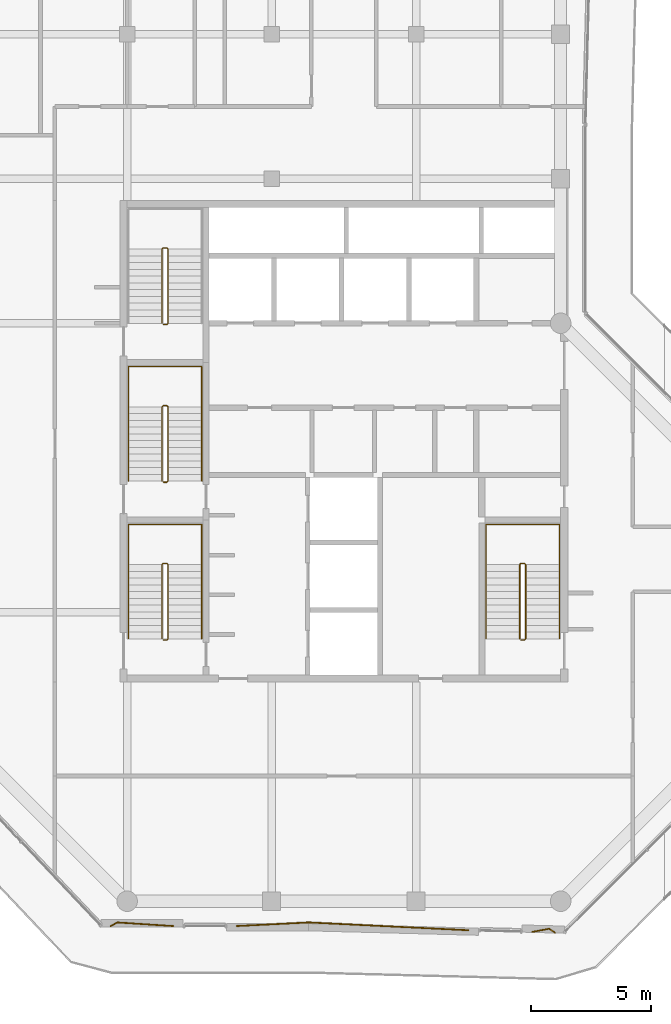
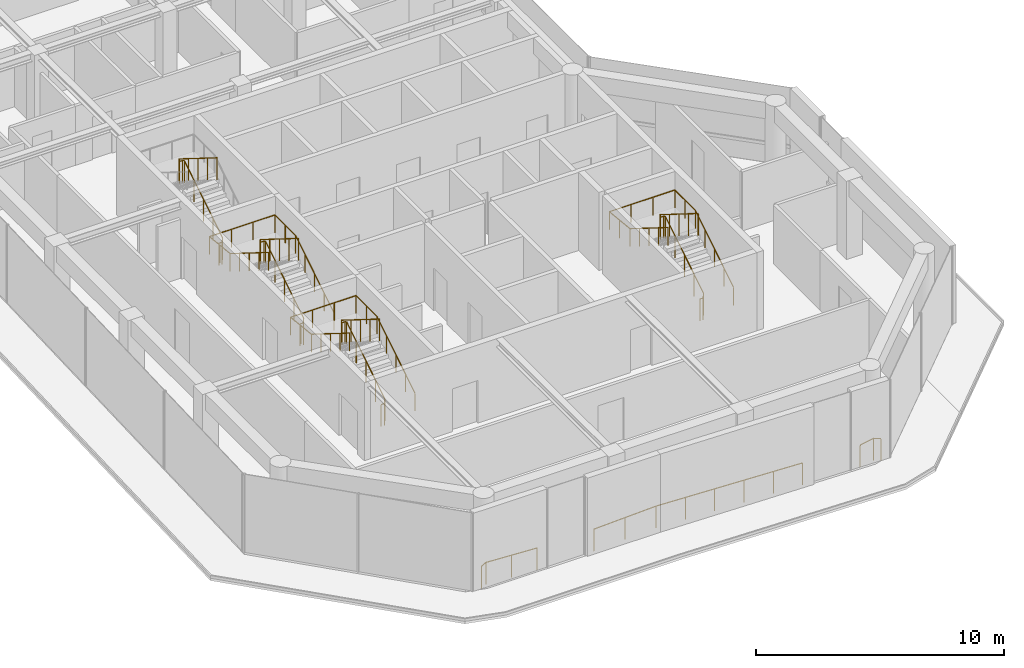
# One storey, part 17 of 18: 10 railings.
"""IFC4 building model written with IfcOpenShell, lengths in metres."""

from ifc_helpers import new_model, si_unit, direction, frame, origin, origin_2d, place, context, subcontext, project, spatial, circle, extrude, material, type_object, element, save


model = new_model("IFC4")

# Units and contexts
model_context = context("Model", 3, precision=1e-05, world=origin(), true_north=direction((0.0, 1.0)))
body_context = subcontext(model_context, "Body", "Model", "MODEL_VIEW")
ifc_project = project(units=[si_unit("LENGTHUNIT", "METRE"), si_unit("AREAUNIT", "SQUARE_METRE"), si_unit("VOLUMEUNIT", "CUBIC_METRE"), si_unit("PLANEANGLEUNIT", "RADIAN"), si_unit("MASSUNIT", "GRAM", prefix="KILO")], contexts=[model_context])

# Site, building, storey
site_placement = place(None, origin())
site = spatial("IfcSite", under=ifc_project, at=site_placement, CompositionType="ELEMENT")
building_placement = place(site_placement, origin())
building = spatial("IfcBuilding", under=site, at=building_placement, Name="Welwitschia Terrace Campus", CompositionType="ELEMENT")
storey_placement = place(building_placement, frame((0.0, 0.0, 281.0)))
storey = spatial("IfcBuildingStorey", under=building, at=storey_placement, Name="L62", CompositionType="ELEMENT", Elevation=281.0)

# Railings
ifc_material_1 = material(Name="Stainless steel grade 316", Category="steel")
railing_type_1 = type_object("IfcRailingType", Name="Guard 1100", PredefinedType="GUARDRAIL", material=ifc_material_1)
railing_1_placement = place(storey_placement, frame((7.904541015625, -5.030029296875, 0.0)))
element("IfcRailing", 1, at=railing_1_placement, inside=storey, type_object=railing_type_1, Name="Guard floor edge L62.1", PredefinedType="GUARDRAIL", context=body_context, shape_type="SweptSolid", body=[
    extrude(circle(Radius=0.02392578125, at=origin_2d()), frame((0.0, 0.0, 1.076171875), z_axis=(-0.997881897541, 0.065051660694, 0.0), x_axis=(-0.065051660694, -0.997881897541, 0.0)), (0.0, 0.0, 1.0), 2.30810546875),
    extrude(circle(Radius=0.02392578125, at=origin_2d()), frame((-2.30322265625, 0.150146484375, 1.076171875), z_axis=(-0.889778828662, -0.456391976336, 0.0), x_axis=(0.456391976336, -0.889778828662, 0.0)), (0.0, 0.0, 1.0), 0.3291015625),
    extrude(circle(Radius=0.02099609375, at=origin_2d()), origin(), (0.0, 0.0, 1.0), 1.052001953125),
    extrude(circle(Radius=0.02099609375, at=origin_2d()), frame((-1.151611328125, 0.0751953125, 0.0)), (0.0, 0.0, 1.0), 1.052001953125),
    extrude(circle(Radius=0.02099609375, at=origin_2d()), frame((-2.30322265625, 0.150146484375, 0.0)), (0.0, 0.0, 1.0), 1.052001953125),
    extrude(circle(Radius=0.02099609375, at=origin_2d()), frame((-2.595947265625, 0.0, 0.0)), (0.0, 0.0, 1.0), 1.052001953125),
])
railing_2_placement = place(storey_placement, frame((20.172119140625, -5.203857421875, 0.0)))
element("IfcRailing", 2, at=railing_2_placement, inside=storey, type_object=railing_type_1, Name="Guard floor edge L62.3", PredefinedType="GUARDRAIL", context=body_context, shape_type="SweptSolid", body=[
    extrude(circle(Radius=0.02392578125, at=origin_2d()), frame((0.0, 0.0, 1.076171875), z_axis=(-0.998809863154, 0.048773530392, 0.0), x_axis=(-0.048773530392, -0.998809863154, 0.0)), (0.0, 0.0, 1.0), 6.642333984375),
    extrude(circle(Radius=0.02392578125, at=origin_2d()), frame((-6.634521484375, 0.323974609375, 1.076171875), z_axis=(-0.998737836798, -0.050226819007, 0.0), x_axis=(0.050226819007, -0.998737836798, 0.0)), (0.0, 0.0, 1.0), 2.9892578125),
    extrude(circle(Radius=0.02099609375, at=origin_2d()), origin(), (0.0, 0.0, 1.0), 1.052001953125),
    extrude(circle(Radius=0.02099609375, at=origin_2d()), frame((-1.326904296875, 0.064697265625, 0.0)), (0.0, 0.0, 1.0), 1.052001953125),
    extrude(circle(Radius=0.02099609375, at=origin_2d()), frame((-2.65380859375, 0.129638671875, 0.0)), (0.0, 0.0, 1.0), 1.052001953125),
    extrude(circle(Radius=0.02099609375, at=origin_2d()), frame((-3.980712890625, 0.1943359375, 0.0)), (0.0, 0.0, 1.0), 1.052001953125),
    extrude(circle(Radius=0.02099609375, at=origin_2d()), frame((-5.3076171875, 0.25927734375, 0.0)), (0.0, 0.0, 1.0), 1.052001953125),
    extrude(circle(Radius=0.02099609375, at=origin_2d()), frame((-6.634521484375, 0.323974609375, 0.0)), (0.0, 0.0, 1.0), 1.052001953125),
    extrude(circle(Radius=0.02099609375, at=origin_2d()), frame((-8.12744140625, 0.2490234375, 0.0)), (0.0, 0.0, 1.0), 1.052001953125),
    extrude(circle(Radius=0.02099609375, at=origin_2d()), frame((-9.6201171875, 0.173828125, 0.0)), (0.0, 0.0, 1.0), 1.052001953125),
])
railing_3_placement = place(storey_placement, frame((23.7626953125, -5.2978515625, 0.0)))
element("IfcRailing", 3, at=railing_3_placement, inside=storey, type_object=railing_type_1, Name="Guard floor edge L62.5", PredefinedType="GUARDRAIL", context=body_context, shape_type="SweptSolid", body=[
    extrude(circle(Radius=0.02392578125, at=origin_2d()), frame((0.0, 0.0, 1.076171875), z_axis=(-0.839661073716, 0.543110744956, 0.0), x_axis=(-0.543110744956, -0.839661073716, 0.0)), (0.0, 0.0, 1.0), 0.2880859375),
    extrude(circle(Radius=0.02392578125, at=origin_2d()), frame((-0.241943359375, 0.156494140625, 1.076171875), z_axis=(-0.982825731566, -0.184536124842, 0.0), x_axis=(0.184536124842, -0.982825731566, 0.0)), (0.0, 0.0, 1.0), 0.71435546875),
    extrude(circle(Radius=0.02099609375, at=origin_2d()), origin(), (0.0, 0.0, 1.0), 1.052001953125),
    extrude(circle(Radius=0.02099609375, at=origin_2d()), frame((-0.241943359375, 0.156494140625, 0.0)), (0.0, 0.0, 1.0), 1.052001953125),
    extrude(circle(Radius=0.02099609375, at=origin_2d()), frame((-0.944091796875, 0.024658203125, 0.0)), (0.0, 0.0, 1.0), 1.052001953125),
])
ifc_material_2 = material(Name="Steel S355", Category="steel")
railing_type_2 = type_object("IfcRailingType", Name="Stair guard 1100", PredefinedType="GUARDRAIL", material=ifc_material_2)
railing_4_placement = place(storey_placement, frame((7.5, 6.85009765625, 0.0)))
element("IfcRailing", 4, at=railing_4_placement, inside=storey, type_object=railing_type_2, Name="L62 S1 stair guard", PredefinedType="GUARDRAIL", context=body_context, shape_type="SweptSolid", body=[
    extrude(circle(Radius=0.02392578125, at=origin_2d()), frame((0.0, 0.0, 1.076171875), z_axis=(1.0, 0.0, 0.0), x_axis=(0.0, 1.0, 0.0)), (0.0, 0.0, 1.0), 0.14990234375),
    extrude(circle(Radius=0.02392578125, at=origin_2d()), frame((0.14990234375, 0.0, 1.076171875), z_axis=(0.265155923931, 0.263862480399, 0.927399011991), x_axis=(-0.705375805398, 0.708833529934, 0.0)), (0.0, 0.0, 1.0), 0.188720703125),
    extrude(circle(Radius=0.02392578125, at=origin_2d()), frame((0.199951171875, 0.0498046875, 1.2509765625), z_axis=(0.0, 0.847998304005, 0.529998940003), x_axis=(-1.0, 0.0, 0.0)), (0.0, 0.0, 1.0), 3.632080078125),
    extrude(circle(Radius=0.02392578125, at=origin_2d()), frame((0.199951171875, 3.1298828125, 3.17626953125), z_axis=(-0.707106781187, 0.707106781187, 0.0), x_axis=(-0.707106781187, -0.707106781187, 0.0)), (0.0, 0.0, 1.0), 0.07080078125),
    extrude(circle(Radius=0.02392578125, at=origin_2d()), frame((0.14990234375, 3.179931640625, 3.17626953125), z_axis=(-1.0, 0.0, 0.0), x_axis=(0.0, -1.0, 0.0)), (0.0, 0.0, 1.0), 0.14990234375),
    extrude(circle(Radius=0.02392578125, at=origin_2d()), frame((0.0, 3.179931640625, 3.17626953125), z_axis=(-0.265383341853, -0.265383341853, 0.926899867156), x_axis=(0.707106781187, -0.707106781187, 0.0)), (0.0, 0.0, 1.0), 0.1884765625),
    extrude(circle(Radius=0.02392578125, at=origin_2d()), frame((-0.050048828125, 3.1298828125, 3.35107421875), z_axis=(0.0, -0.847998304005, 0.529998940003), x_axis=(1.0, 0.0, 0.0)), (0.0, 0.0, 1.0), 3.632080078125),
    extrude(circle(Radius=0.02099609375, at=origin_2d()), origin(), (0.0, 0.0, 1.0), 1.052001953125),
    extrude(circle(Radius=0.02099609375, at=origin_2d()), frame((0.14990234375, 0.0, 0.0)), (0.0, 0.0, 1.0), 1.052001953125),
    extrude(circle(Radius=0.02099609375, at=origin_2d()), frame((0.199951171875, 0.0498046875, 0.175048828125)), (0.0, 0.0, 1.0), 1.052001953125),
    extrude(circle(Radius=0.02099609375, at=origin_2d()), frame((0.199951171875, 0.81982421875, 0.65625)), (0.0, 0.0, 1.0), 1.052001953125),
    extrude(circle(Radius=0.02099609375, at=origin_2d()), frame((0.199951171875, 1.58984375, 1.1376953125)), (0.0, 0.0, 1.0), 1.052001953125),
    extrude(circle(Radius=0.02099609375, at=origin_2d()), frame((0.199951171875, 2.35986328125, 1.618896484375)), (0.0, 0.0, 1.0), 1.052001953125),
    extrude(circle(Radius=0.02099609375, at=origin_2d()), frame((0.199951171875, 3.1298828125, 2.10009765625)), (0.0, 0.0, 1.0), 1.052001953125),
    extrude(circle(Radius=0.02099609375, at=origin_2d()), frame((0.14990234375, 3.179931640625, 2.10009765625)), (0.0, 0.0, 1.0), 1.052001953125),
    extrude(circle(Radius=0.02099609375, at=origin_2d()), frame((0.0, 3.179931640625, 2.10009765625)), (0.0, 0.0, 1.0), 1.052001953125),
    extrude(circle(Radius=0.02099609375, at=origin_2d()), frame((-0.050048828125, 3.1298828125, 2.27490234375)), (0.0, 0.0, 1.0), 1.052001953125),
    extrude(circle(Radius=0.02099609375, at=origin_2d()), frame((-0.050048828125, 2.35986328125, 2.756103515625)), (0.0, 0.0, 1.0), 1.052001953125),
    extrude(circle(Radius=0.02099609375, at=origin_2d()), frame((-0.050048828125, 1.58984375, 3.2373046875)), (0.0, 0.0, 1.0), 1.052001953125),
    extrude(circle(Radius=0.02099609375, at=origin_2d()), frame((-0.050048828125, 0.81982421875, 3.71875)), (0.0, 0.0, 1.0), 1.052001953125),
    extrude(circle(Radius=0.02099609375, at=origin_2d()), frame((-0.050048828125, 0.0498046875, 4.199951171875)), (0.0, 0.0, 1.0), 1.052001953125),
])
railing_5_placement = place(storey_placement, frame((7.5, 13.39990234375, 0.0)))
element("IfcRailing", 5, at=railing_5_placement, inside=storey, type_object=railing_type_2, Name="L62 S3 stair guard", PredefinedType="GUARDRAIL", context=body_context, shape_type="SweptSolid", body=[
    extrude(circle(Radius=0.02392578125, at=origin_2d()), frame((0.0, 0.0, 1.076171875), z_axis=(1.0, 0.0, 0.0), x_axis=(0.0, 1.0, 0.0)), (0.0, 0.0, 1.0), 0.14990234375),
    extrude(circle(Radius=0.02392578125, at=origin_2d()), frame((0.14990234375, 0.0, 1.076171875), z_axis=(0.265065253269, 0.265065253269, 0.927081885822), x_axis=(-0.707106781187, 0.707106781187, 0.0)), (0.0, 0.0, 1.0), 0.188720703125),
    extrude(circle(Radius=0.02392578125, at=origin_2d()), frame((0.199951171875, 0.050048828125, 1.2509765625), z_axis=(0.0, 0.847998304005, 0.529998940003), x_axis=(-1.0, 0.0, 0.0)), (0.0, 0.0, 1.0), 3.632080078125),
    extrude(circle(Radius=0.02392578125, at=origin_2d()), frame((0.199951171875, 3.130126953125, 3.17626953125), z_axis=(-0.707106781187, 0.707106781187, 0.0), x_axis=(-0.707106781187, -0.707106781187, 0.0)), (0.0, 0.0, 1.0), 0.07080078125),
    extrude(circle(Radius=0.02392578125, at=origin_2d()), frame((0.14990234375, 3.18017578125, 3.17626953125), z_axis=(-1.0, 0.0, 0.0), x_axis=(0.0, -1.0, 0.0)), (0.0, 0.0, 1.0), 0.14990234375),
    extrude(circle(Radius=0.02392578125, at=origin_2d()), frame((0.0, 3.18017578125, 3.17626953125), z_axis=(-0.265383341853, -0.265383341853, 0.926899867156), x_axis=(0.707106781187, -0.707106781187, 0.0)), (0.0, 0.0, 1.0), 0.1884765625),
    extrude(circle(Radius=0.02392578125, at=origin_2d()), frame((-0.050048828125, 3.130126953125, 3.35107421875), z_axis=(0.0, -0.847998304005, 0.529998940003), x_axis=(1.0, 0.0, 0.0)), (0.0, 0.0, 1.0), 3.632080078125),
    extrude(circle(Radius=0.02099609375, at=origin_2d()), origin(), (0.0, 0.0, 1.0), 1.052001953125),
    extrude(circle(Radius=0.02099609375, at=origin_2d()), frame((0.14990234375, 0.0, 0.0)), (0.0, 0.0, 1.0), 1.052001953125),
    extrude(circle(Radius=0.02099609375, at=origin_2d()), frame((0.199951171875, 0.050048828125, 0.175048828125)), (0.0, 0.0, 1.0), 1.052001953125),
    extrude(circle(Radius=0.02099609375, at=origin_2d()), frame((0.199951171875, 0.820068359375, 0.65625)), (0.0, 0.0, 1.0), 1.052001953125),
    extrude(circle(Radius=0.02099609375, at=origin_2d()), frame((0.199951171875, 1.590087890625, 1.1376953125)), (0.0, 0.0, 1.0), 1.052001953125),
    extrude(circle(Radius=0.02099609375, at=origin_2d()), frame((0.199951171875, 2.360107421875, 1.618896484375)), (0.0, 0.0, 1.0), 1.052001953125),
    extrude(circle(Radius=0.02099609375, at=origin_2d()), frame((0.199951171875, 3.130126953125, 2.10009765625)), (0.0, 0.0, 1.0), 1.052001953125),
    extrude(circle(Radius=0.02099609375, at=origin_2d()), frame((0.14990234375, 3.18017578125, 2.10009765625)), (0.0, 0.0, 1.0), 1.052001953125),
    extrude(circle(Radius=0.02099609375, at=origin_2d()), frame((0.0, 3.18017578125, 2.10009765625)), (0.0, 0.0, 1.0), 1.052001953125),
    extrude(circle(Radius=0.02099609375, at=origin_2d()), frame((-0.050048828125, 3.130126953125, 2.27490234375)), (0.0, 0.0, 1.0), 1.052001953125),
    extrude(circle(Radius=0.02099609375, at=origin_2d()), frame((-0.050048828125, 2.360107421875, 2.756103515625)), (0.0, 0.0, 1.0), 1.052001953125),
    extrude(circle(Radius=0.02099609375, at=origin_2d()), frame((-0.050048828125, 1.590087890625, 3.2373046875)), (0.0, 0.0, 1.0), 1.052001953125),
    extrude(circle(Radius=0.02099609375, at=origin_2d()), frame((-0.050048828125, 0.820068359375, 3.71875)), (0.0, 0.0, 1.0), 1.052001953125),
    extrude(circle(Radius=0.02099609375, at=origin_2d()), frame((-0.050048828125, 0.050048828125, 4.199951171875)), (0.0, 0.0, 1.0), 1.052001953125),
])
railing_6_placement = place(storey_placement, frame((7.5, 19.949951171875, 0.0)))
element("IfcRailing", 6, at=railing_6_placement, inside=storey, type_object=railing_type_2, Name="L62 S4 stair guard", PredefinedType="GUARDRAIL", context=body_context, shape_type="SweptSolid", body=[
    extrude(circle(Radius=0.02392578125, at=origin_2d()), frame((0.0, 0.0, 1.076171875), z_axis=(1.0, 0.0, 0.0), x_axis=(0.0, 1.0, 0.0)), (0.0, 0.0, 1.0), 0.14990234375),
    extrude(circle(Radius=0.02392578125, at=origin_2d()), frame((0.14990234375, 0.0, 1.076171875), z_axis=(0.265065253269, 0.265065253269, 0.927081885822), x_axis=(-0.707106781187, 0.707106781187, 0.0)), (0.0, 0.0, 1.0), 0.188720703125),
    extrude(circle(Radius=0.02392578125, at=origin_2d()), frame((0.199951171875, 0.050048828125, 1.2509765625), z_axis=(0.0, 0.847998304005, 0.529998940003), x_axis=(-1.0, 0.0, 0.0)), (0.0, 0.0, 1.0), 3.632080078125),
    extrude(circle(Radius=0.02392578125, at=origin_2d()), frame((0.199951171875, 3.130126953125, 3.17626953125), z_axis=(-0.708833529934, 0.705375805398, 0.0), x_axis=(-0.705375805398, -0.708833529934, 0.0)), (0.0, 0.0, 1.0), 0.070556640625),
    extrude(circle(Radius=0.02392578125, at=origin_2d()), frame((0.14990234375, 3.179931640625, 3.17626953125), z_axis=(-1.0, 0.0, 0.0), x_axis=(0.0, -1.0, 0.0)), (0.0, 0.0, 1.0), 0.14990234375),
    extrude(circle(Radius=0.02392578125, at=origin_2d()), frame((0.0, 3.179931640625, 3.17626953125), z_axis=(-0.265474339444, -0.264179342666, 0.927217692888), x_axis=(0.705375805398, -0.708833529934, 0.0)), (0.0, 0.0, 1.0), 0.1884765625),
    extrude(circle(Radius=0.02392578125, at=origin_2d()), frame((-0.050048828125, 3.130126953125, 3.35107421875), z_axis=(0.0, -0.847998304005, 0.529998940003), x_axis=(1.0, 0.0, 0.0)), (0.0, 0.0, 1.0), 3.632080078125),
    extrude(circle(Radius=0.02099609375, at=origin_2d()), origin(), (0.0, 0.0, 1.0), 1.052001953125),
    extrude(circle(Radius=0.02099609375, at=origin_2d()), frame((0.14990234375, 0.0, 0.0)), (0.0, 0.0, 1.0), 1.052001953125),
    extrude(circle(Radius=0.02099609375, at=origin_2d()), frame((0.199951171875, 0.050048828125, 0.175048828125)), (0.0, 0.0, 1.0), 1.052001953125),
    extrude(circle(Radius=0.02099609375, at=origin_2d()), frame((0.199951171875, 0.820068359375, 0.65625)), (0.0, 0.0, 1.0), 1.052001953125),
    extrude(circle(Radius=0.02099609375, at=origin_2d()), frame((0.199951171875, 1.590087890625, 1.1376953125)), (0.0, 0.0, 1.0), 1.052001953125),
    extrude(circle(Radius=0.02099609375, at=origin_2d()), frame((0.199951171875, 2.360107421875, 1.618896484375)), (0.0, 0.0, 1.0), 1.052001953125),
    extrude(circle(Radius=0.02099609375, at=origin_2d()), frame((0.199951171875, 3.130126953125, 2.10009765625)), (0.0, 0.0, 1.0), 1.052001953125),
    extrude(circle(Radius=0.02099609375, at=origin_2d()), frame((0.14990234375, 3.179931640625, 2.10009765625)), (0.0, 0.0, 1.0), 1.052001953125),
    extrude(circle(Radius=0.02099609375, at=origin_2d()), frame((0.0, 3.179931640625, 2.10009765625)), (0.0, 0.0, 1.0), 1.052001953125),
    extrude(circle(Radius=0.02099609375, at=origin_2d()), frame((-0.050048828125, 3.130126953125, 2.27490234375)), (0.0, 0.0, 1.0), 1.052001953125),
    extrude(circle(Radius=0.02099609375, at=origin_2d()), frame((-0.050048828125, 2.360107421875, 2.756103515625)), (0.0, 0.0, 1.0), 1.052001953125),
    extrude(circle(Radius=0.02099609375, at=origin_2d()), frame((-0.050048828125, 1.590087890625, 3.2373046875)), (0.0, 0.0, 1.0), 1.052001953125),
    extrude(circle(Radius=0.02099609375, at=origin_2d()), frame((-0.050048828125, 0.820068359375, 3.71875)), (0.0, 0.0, 1.0), 1.052001953125),
    extrude(circle(Radius=0.02099609375, at=origin_2d()), frame((-0.050048828125, 0.050048828125, 4.199951171875)), (0.0, 0.0, 1.0), 1.052001953125),
])
railing_7_placement = place(storey_placement, frame((22.35009765625, 6.85009765625, 0.0)))
element("IfcRailing", 7, at=railing_7_placement, inside=storey, type_object=railing_type_2, Name="L62 S2 stair guard", PredefinedType="GUARDRAIL", context=body_context, shape_type="SweptSolid", body=[
    extrude(circle(Radius=0.02392578125, at=origin_2d()), frame((0.0, 0.0, 1.076171875), z_axis=(1.0, 0.0, 0.0), x_axis=(0.0, 1.0, 0.0)), (0.0, 0.0, 1.0), 0.14990234375),
    extrude(circle(Radius=0.02392578125, at=origin_2d()), frame((0.14990234375, 0.0, 1.076171875), z_axis=(0.265155923931, 0.263862480399, 0.927399011991), x_axis=(-0.705375805398, 0.708833529934, 0.0)), (0.0, 0.0, 1.0), 0.188720703125),
    extrude(circle(Radius=0.02392578125, at=origin_2d()), frame((0.199951171875, 0.0498046875, 1.2509765625), z_axis=(0.0, 0.847998304005, 0.529998940003), x_axis=(-1.0, 0.0, 0.0)), (0.0, 0.0, 1.0), 3.632080078125),
    extrude(circle(Radius=0.02392578125, at=origin_2d()), frame((0.199951171875, 3.1298828125, 3.17626953125), z_axis=(-0.707106781187, 0.707106781187, 0.0), x_axis=(-0.707106781187, -0.707106781187, 0.0)), (0.0, 0.0, 1.0), 0.07080078125),
    extrude(circle(Radius=0.02392578125, at=origin_2d()), frame((0.14990234375, 3.179931640625, 3.17626953125), z_axis=(-1.0, 0.0, 0.0), x_axis=(0.0, -1.0, 0.0)), (0.0, 0.0, 1.0), 0.14990234375),
    extrude(circle(Radius=0.02392578125, at=origin_2d()), frame((0.0, 3.179931640625, 3.17626953125), z_axis=(-0.265383341853, -0.265383341853, 0.926899867156), x_axis=(0.707106781187, -0.707106781187, 0.0)), (0.0, 0.0, 1.0), 0.1884765625),
    extrude(circle(Radius=0.02392578125, at=origin_2d()), frame((-0.050048828125, 3.1298828125, 3.35107421875), z_axis=(0.0, -0.847998304005, 0.529998940003), x_axis=(1.0, 0.0, 0.0)), (0.0, 0.0, 1.0), 3.632080078125),
    extrude(circle(Radius=0.02099609375, at=origin_2d()), origin(), (0.0, 0.0, 1.0), 1.052001953125),
    extrude(circle(Radius=0.02099609375, at=origin_2d()), frame((0.14990234375, 0.0, 0.0)), (0.0, 0.0, 1.0), 1.052001953125),
    extrude(circle(Radius=0.02099609375, at=origin_2d()), frame((0.199951171875, 0.0498046875, 0.175048828125)), (0.0, 0.0, 1.0), 1.052001953125),
    extrude(circle(Radius=0.02099609375, at=origin_2d()), frame((0.199951171875, 0.81982421875, 0.65625)), (0.0, 0.0, 1.0), 1.052001953125),
    extrude(circle(Radius=0.02099609375, at=origin_2d()), frame((0.199951171875, 1.58984375, 1.1376953125)), (0.0, 0.0, 1.0), 1.052001953125),
    extrude(circle(Radius=0.02099609375, at=origin_2d()), frame((0.199951171875, 2.35986328125, 1.618896484375)), (0.0, 0.0, 1.0), 1.052001953125),
    extrude(circle(Radius=0.02099609375, at=origin_2d()), frame((0.199951171875, 3.1298828125, 2.10009765625)), (0.0, 0.0, 1.0), 1.052001953125),
    extrude(circle(Radius=0.02099609375, at=origin_2d()), frame((0.14990234375, 3.179931640625, 2.10009765625)), (0.0, 0.0, 1.0), 1.052001953125),
    extrude(circle(Radius=0.02099609375, at=origin_2d()), frame((0.0, 3.179931640625, 2.10009765625)), (0.0, 0.0, 1.0), 1.052001953125),
    extrude(circle(Radius=0.02099609375, at=origin_2d()), frame((-0.050048828125, 3.1298828125, 2.27490234375)), (0.0, 0.0, 1.0), 1.052001953125),
    extrude(circle(Radius=0.02099609375, at=origin_2d()), frame((-0.050048828125, 2.35986328125, 2.756103515625)), (0.0, 0.0, 1.0), 1.052001953125),
    extrude(circle(Radius=0.02099609375, at=origin_2d()), frame((-0.050048828125, 1.58984375, 3.2373046875)), (0.0, 0.0, 1.0), 1.052001953125),
    extrude(circle(Radius=0.02099609375, at=origin_2d()), frame((-0.050048828125, 0.81982421875, 3.71875)), (0.0, 0.0, 1.0), 1.052001953125),
    extrude(circle(Radius=0.02099609375, at=origin_2d()), frame((-0.050048828125, 0.0498046875, 4.199951171875)), (0.0, 0.0, 1.0), 1.052001953125),
])
ifc_material_3 = material(Name="Steel S355", Category="steel")
railing_type_3 = type_object("IfcRailingType", Name="Stair handrail 900", PredefinedType="HANDRAIL", material=ifc_material_3)
railing_8_placement = place(storey_placement, frame((9.10009765625, 6.89990234375, 0.175048828125)))
element("IfcRailing", 8, at=railing_8_placement, inside=storey, type_object=railing_type_3, Name="L62 S1 stair handrail", PredefinedType="HANDRAIL", context=body_context, shape_type="SweptSolid", body=[
    extrude(circle(Radius=0.02392578125, at=origin_2d()), frame((0.0, 0.0, 0.8759765625), z_axis=(0.0, 0.847998304005, 0.529998940003), x_axis=(-1.0, 0.0, 0.0)), (0.0, 0.0, 1.0), 3.632080078125),
    extrude(circle(Radius=0.02392578125, at=origin_2d()), frame((0.0, 3.080078125, 2.80078125), z_axis=(0.0, 1.0, 0.0), x_axis=(-1.0, 0.0, 0.0)), (0.0, 0.0, 1.0), 1.669921875),
    extrude(circle(Radius=0.02392578125, at=origin_2d()), frame((0.0, 4.75, 2.80078125), z_axis=(-1.0, 0.0, 0.0), x_axis=(0.0, -1.0, 0.0)), (0.0, 0.0, 1.0), 3.050048828125),
    extrude(circle(Radius=0.02392578125, at=origin_2d()), frame((-3.050048828125, 4.75, 2.80078125), z_axis=(0.0, -0.994565838508, 0.104109523446), x_axis=(1.0, 0.0, 0.0)), (0.0, 0.0, 1.0), 1.678955078125),
    extrude(circle(Radius=0.02392578125, at=origin_2d()), frame((-3.050048828125, 3.080078125, 2.9755859375), z_axis=(0.0, -0.847998304005, 0.529998940003), x_axis=(1.0, 0.0, 0.0)), (0.0, 0.0, 1.0), 3.632080078125),
    extrude(circle(Radius=0.02099609375, at=origin_2d()), origin(), (0.0, 0.0, 1.0), 0.851806640625),
    extrude(circle(Radius=0.02099609375, at=origin_2d()), frame((0.0, 0.77001953125, 0.481201171875)), (0.0, 0.0, 1.0), 0.851806640625),
    extrude(circle(Radius=0.02099609375, at=origin_2d()), frame((0.0, 1.5400390625, 0.96240234375)), (0.0, 0.0, 1.0), 0.851806640625),
    extrude(circle(Radius=0.02099609375, at=origin_2d()), frame((0.0, 2.31005859375, 1.44384765625)), (0.0, 0.0, 1.0), 0.851806640625),
    extrude(circle(Radius=0.02099609375, at=origin_2d()), frame((0.0, 3.080078125, 1.925048828125)), (0.0, 0.0, 1.0), 0.851806640625),
    extrude(circle(Radius=0.02099609375, at=origin_2d()), frame((0.0, 3.9150390625, 1.925048828125)), (0.0, 0.0, 1.0), 0.851806640625),
    extrude(circle(Radius=0.02099609375, at=origin_2d()), frame((0.0, 4.75, 1.925048828125)), (0.0, 0.0, 1.0), 0.851806640625),
    extrude(circle(Radius=0.02099609375, at=origin_2d()), frame((-1.0166015625, 4.75, 1.925048828125)), (0.0, 0.0, 1.0), 0.851806640625),
    extrude(circle(Radius=0.02099609375, at=origin_2d()), frame((-2.033447265625, 4.75, 1.925048828125)), (0.0, 0.0, 1.0), 0.851806640625),
    extrude(circle(Radius=0.02099609375, at=origin_2d()), frame((-3.050048828125, 4.75, 1.925048828125)), (0.0, 0.0, 1.0), 0.851806640625),
    extrude(circle(Radius=0.02099609375, at=origin_2d()), frame((-3.050048828125, 3.9150390625, 2.012451171875)), (0.0, 0.0, 1.0), 0.851806640625),
    extrude(circle(Radius=0.02099609375, at=origin_2d()), frame((-3.050048828125, 3.080078125, 2.099853515625)), (0.0, 0.0, 1.0), 0.851806640625),
    extrude(circle(Radius=0.02099609375, at=origin_2d()), frame((-3.050048828125, 2.31005859375, 2.5810546875)), (0.0, 0.0, 1.0), 0.851806640625),
    extrude(circle(Radius=0.02099609375, at=origin_2d()), frame((-3.050048828125, 1.5400390625, 3.0625)), (0.0, 0.0, 1.0), 0.851806640625),
    extrude(circle(Radius=0.02099609375, at=origin_2d()), frame((-3.050048828125, 0.77001953125, 3.543701171875)), (0.0, 0.0, 1.0), 0.851806640625),
    extrude(circle(Radius=0.02099609375, at=origin_2d()), frame((-3.050048828125, 0.0, 4.02490234375)), (0.0, 0.0, 1.0), 0.851806640625),
])
railing_9_placement = place(storey_placement, frame((9.10009765625, 13.449951171875, 0.175048828125)))
element("IfcRailing", 9, at=railing_9_placement, inside=storey, type_object=railing_type_3, Name="L62 S3 stair handrail", PredefinedType="HANDRAIL", context=body_context, shape_type="SweptSolid", body=[
    extrude(circle(Radius=0.02392578125, at=origin_2d()), frame((0.0, 0.0, 0.8759765625), z_axis=(0.0, 0.847998304005, 0.529998940003), x_axis=(-1.0, 0.0, 0.0)), (0.0, 0.0, 1.0), 3.632080078125),
    extrude(circle(Radius=0.02392578125, at=origin_2d()), frame((0.0, 3.080078125, 2.80078125), z_axis=(0.0, 1.0, 0.0), x_axis=(-1.0, 0.0, 0.0)), (0.0, 0.0, 1.0), 1.669921875),
    extrude(circle(Radius=0.02392578125, at=origin_2d()), frame((0.0, 4.75, 2.80078125), z_axis=(-1.0, 0.0, 0.0), x_axis=(0.0, -1.0, 0.0)), (0.0, 0.0, 1.0), 3.050048828125),
    extrude(circle(Radius=0.02392578125, at=origin_2d()), frame((-3.050048828125, 4.75, 2.80078125), z_axis=(0.0, -0.994565838508, 0.104109523446), x_axis=(1.0, 0.0, 0.0)), (0.0, 0.0, 1.0), 1.678955078125),
    extrude(circle(Radius=0.02392578125, at=origin_2d()), frame((-3.050048828125, 3.080078125, 2.9755859375), z_axis=(0.0, -0.847998304005, 0.529998940003), x_axis=(1.0, 0.0, 0.0)), (0.0, 0.0, 1.0), 3.632080078125),
    extrude(circle(Radius=0.02099609375, at=origin_2d()), origin(), (0.0, 0.0, 1.0), 0.851806640625),
    extrude(circle(Radius=0.02099609375, at=origin_2d()), frame((0.0, 0.77001953125, 0.481201171875)), (0.0, 0.0, 1.0), 0.851806640625),
    extrude(circle(Radius=0.02099609375, at=origin_2d()), frame((0.0, 1.5400390625, 0.96240234375)), (0.0, 0.0, 1.0), 0.851806640625),
    extrude(circle(Radius=0.02099609375, at=origin_2d()), frame((0.0, 2.31005859375, 1.44384765625)), (0.0, 0.0, 1.0), 0.851806640625),
    extrude(circle(Radius=0.02099609375, at=origin_2d()), frame((0.0, 3.080078125, 1.925048828125)), (0.0, 0.0, 1.0), 0.851806640625),
    extrude(circle(Radius=0.02099609375, at=origin_2d()), frame((0.0, 3.9150390625, 1.925048828125)), (0.0, 0.0, 1.0), 0.851806640625),
    extrude(circle(Radius=0.02099609375, at=origin_2d()), frame((0.0, 4.75, 1.925048828125)), (0.0, 0.0, 1.0), 0.851806640625),
    extrude(circle(Radius=0.02099609375, at=origin_2d()), frame((-1.0166015625, 4.75, 1.925048828125)), (0.0, 0.0, 1.0), 0.851806640625),
    extrude(circle(Radius=0.02099609375, at=origin_2d()), frame((-2.033447265625, 4.75, 1.925048828125)), (0.0, 0.0, 1.0), 0.851806640625),
    extrude(circle(Radius=0.02099609375, at=origin_2d()), frame((-3.050048828125, 4.75, 1.925048828125)), (0.0, 0.0, 1.0), 0.851806640625),
    extrude(circle(Radius=0.02099609375, at=origin_2d()), frame((-3.050048828125, 3.9150390625, 2.012451171875)), (0.0, 0.0, 1.0), 0.851806640625),
    extrude(circle(Radius=0.02099609375, at=origin_2d()), frame((-3.050048828125, 3.080078125, 2.099853515625)), (0.0, 0.0, 1.0), 0.851806640625),
    extrude(circle(Radius=0.02099609375, at=origin_2d()), frame((-3.050048828125, 2.31005859375, 2.5810546875)), (0.0, 0.0, 1.0), 0.851806640625),
    extrude(circle(Radius=0.02099609375, at=origin_2d()), frame((-3.050048828125, 1.5400390625, 3.0625)), (0.0, 0.0, 1.0), 0.851806640625),
    extrude(circle(Radius=0.02099609375, at=origin_2d()), frame((-3.050048828125, 0.77001953125, 3.543701171875)), (0.0, 0.0, 1.0), 0.851806640625),
    extrude(circle(Radius=0.02099609375, at=origin_2d()), frame((-3.050048828125, 0.0, 4.02490234375)), (0.0, 0.0, 1.0), 0.851806640625),
])
railing_10_placement = place(storey_placement, frame((23.949951171875, 6.89990234375, 0.175048828125)))
element("IfcRailing", 10, at=railing_10_placement, inside=storey, type_object=railing_type_3, Name="L62 S2 stair handrail", PredefinedType="HANDRAIL", context=body_context, shape_type="SweptSolid", body=[
    extrude(circle(Radius=0.02392578125, at=origin_2d()), frame((0.0, 0.0, 0.8759765625), z_axis=(0.0, 0.847998304005, 0.529998940003), x_axis=(-1.0, 0.0, 0.0)), (0.0, 0.0, 1.0), 3.632080078125),
    extrude(circle(Radius=0.02392578125, at=origin_2d()), frame((0.0, 3.080078125, 2.80078125), z_axis=(0.0, 1.0, 0.0), x_axis=(-1.0, 0.0, 0.0)), (0.0, 0.0, 1.0), 1.669921875),
    extrude(circle(Radius=0.02392578125, at=origin_2d()), frame((0.0, 4.75, 2.80078125), z_axis=(-1.0, 0.0, 0.0), x_axis=(0.0, -1.0, 0.0)), (0.0, 0.0, 1.0), 3.050048828125),
    extrude(circle(Radius=0.02392578125, at=origin_2d()), frame((-3.050048828125, 4.75, 2.80078125), z_axis=(0.0, -0.994565838508, 0.104109523446), x_axis=(1.0, 0.0, 0.0)), (0.0, 0.0, 1.0), 1.678955078125),
    extrude(circle(Radius=0.02392578125, at=origin_2d()), frame((-3.050048828125, 3.080078125, 2.9755859375), z_axis=(0.0, -0.847998304005, 0.529998940003), x_axis=(1.0, 0.0, 0.0)), (0.0, 0.0, 1.0), 3.632080078125),
    extrude(circle(Radius=0.02099609375, at=origin_2d()), origin(), (0.0, 0.0, 1.0), 0.851806640625),
    extrude(circle(Radius=0.02099609375, at=origin_2d()), frame((0.0, 0.77001953125, 0.481201171875)), (0.0, 0.0, 1.0), 0.851806640625),
    extrude(circle(Radius=0.02099609375, at=origin_2d()), frame((0.0, 1.5400390625, 0.96240234375)), (0.0, 0.0, 1.0), 0.851806640625),
    extrude(circle(Radius=0.02099609375, at=origin_2d()), frame((0.0, 2.31005859375, 1.44384765625)), (0.0, 0.0, 1.0), 0.851806640625),
    extrude(circle(Radius=0.02099609375, at=origin_2d()), frame((0.0, 3.080078125, 1.925048828125)), (0.0, 0.0, 1.0), 0.851806640625),
    extrude(circle(Radius=0.02099609375, at=origin_2d()), frame((0.0, 3.9150390625, 1.925048828125)), (0.0, 0.0, 1.0), 0.851806640625),
    extrude(circle(Radius=0.02099609375, at=origin_2d()), frame((0.0, 4.75, 1.925048828125)), (0.0, 0.0, 1.0), 0.851806640625),
    extrude(circle(Radius=0.02099609375, at=origin_2d()), frame((-1.0166015625, 4.75, 1.925048828125)), (0.0, 0.0, 1.0), 0.851806640625),
    extrude(circle(Radius=0.02099609375, at=origin_2d()), frame((-2.033447265625, 4.75, 1.925048828125)), (0.0, 0.0, 1.0), 0.851806640625),
    extrude(circle(Radius=0.02099609375, at=origin_2d()), frame((-3.050048828125, 4.75, 1.925048828125)), (0.0, 0.0, 1.0), 0.851806640625),
    extrude(circle(Radius=0.02099609375, at=origin_2d()), frame((-3.050048828125, 3.9150390625, 2.012451171875)), (0.0, 0.0, 1.0), 0.851806640625),
    extrude(circle(Radius=0.02099609375, at=origin_2d()), frame((-3.050048828125, 3.080078125, 2.099853515625)), (0.0, 0.0, 1.0), 0.851806640625),
    extrude(circle(Radius=0.02099609375, at=origin_2d()), frame((-3.050048828125, 2.31005859375, 2.5810546875)), (0.0, 0.0, 1.0), 0.851806640625),
    extrude(circle(Radius=0.02099609375, at=origin_2d()), frame((-3.050048828125, 1.5400390625, 3.0625)), (0.0, 0.0, 1.0), 0.851806640625),
    extrude(circle(Radius=0.02099609375, at=origin_2d()), frame((-3.050048828125, 0.77001953125, 3.543701171875)), (0.0, 0.0, 1.0), 0.851806640625),
    extrude(circle(Radius=0.02099609375, at=origin_2d()), frame((-3.050048828125, 0.0, 4.02490234375)), (0.0, 0.0, 1.0), 0.851806640625),
])

save(model, "model.ifc")
